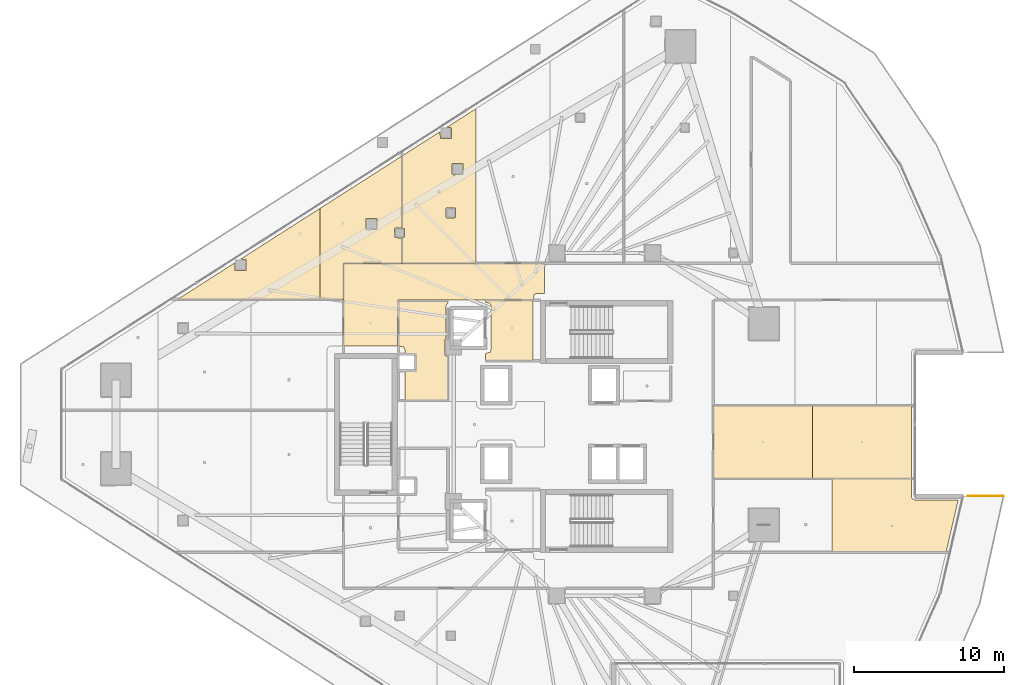
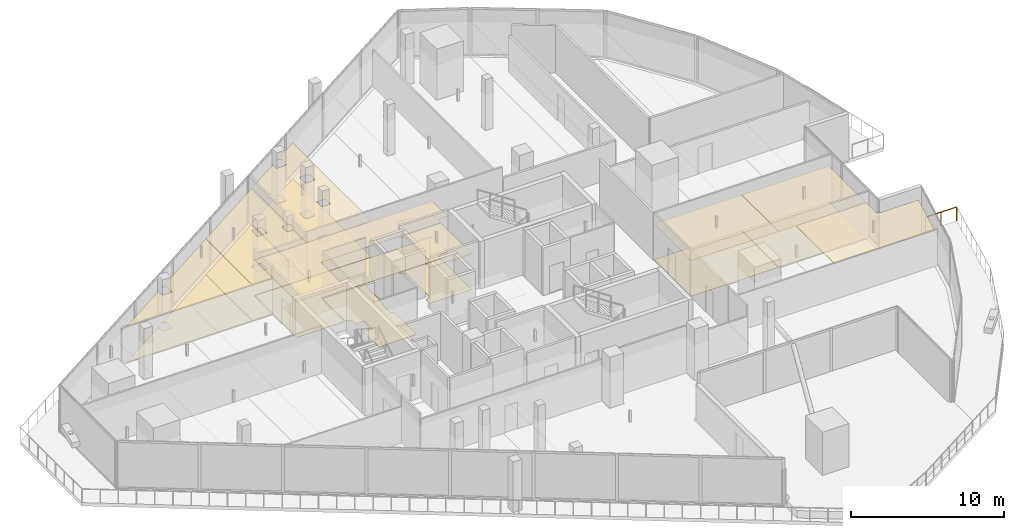
# One storey, part 37 of 39: 16 coverings, 1 railing.
"""IFC4 building model written with IfcOpenShell, lengths in metres."""

from ifc_helpers import new_model, si_unit, direction, frame, origin, origin_2d, place, context, subcontext, project, spatial, polyline, circle, outline, extrude, material, layer, layer_set, type_object, element, save


model = new_model("IFC4")

# Units and contexts
model_context = context("Model", 3, precision=1e-05, world=origin(), true_north=direction((0.0, 1.0)))
body_context = subcontext(model_context, "Body", "Model", "MODEL_VIEW")
ifc_project = project(units=[si_unit("LENGTHUNIT", "METRE"), si_unit("AREAUNIT", "SQUARE_METRE"), si_unit("VOLUMEUNIT", "CUBIC_METRE"), si_unit("PLANEANGLEUNIT", "RADIAN"), si_unit("MASSUNIT", "GRAM", prefix="KILO")], contexts=[model_context])

# Site, building, storey
site_placement = place(None, origin())
site = spatial("IfcSite", under=ifc_project, at=site_placement, CompositionType="ELEMENT")
building_placement = place(site_placement, origin())
building = spatial("IfcBuilding", under=site, at=building_placement, Name="Qorvath Tower", CompositionType="ELEMENT")
storey_placement = place(building_placement, frame((0.0, 0.0, 154.35009765625)))
storey = spatial("IfcBuildingStorey", under=building, at=storey_placement, Name="L35", CompositionType="ELEMENT", Elevation=154.35009765625)

# Coverings
ifc_material_1 = material(Name="Acoustic mineral fibre ceiling tile", Category="gypsum")
ifc_layer_1 = layer(ifc_material_1, 0.030029296875)
ifc_layer_set_1 = layer_set([ifc_layer_1], Name="COV-CEIL")
covering_type_1 = type_object("IfcCoveringType", Name="COV-CEIL", PredefinedType="CEILING", material=ifc_layer_set_1)
covering_1_placement = place(storey_placement, frame((0.0, 0.0, 2.849853515625)))
element("IfcCovering", 1, at=covering_1_placement, inside=storey, type_object=covering_type_1, Name="L35 Suspended Acoustic Ceiling 001", PredefinedType="CEILING", context=body_context, shape_type="SweptSolid", body=[
    extrude(outline(polyline([(-25.18994140625, 4.2548828125), (-25.18994140625, 8.294921875), (-28.375, 8.294921875), (-28.375, 8.159912109375), (-28.063232421875, 8.086669921875), (-27.989990234375, 7.909912109375), (-27.989990234375, 4.989990234375), (-28.063232421875, 4.813232421875), (-28.375, 4.739990234375), (-28.375, 4.2548828125), (-25.18994140625, 4.2548828125)])), origin(), (0.0, 0.0, 1.0), 0.030029296875),
])
covering_2_placement = place(storey_placement, frame((0.0, 0.0, 2.849853515625)))
element("IfcCovering", 2, at=covering_2_placement, inside=storey, type_object=covering_type_1, Name="L35 Suspended Acoustic Ceiling 007", PredefinedType="CEILING", context=body_context, shape_type="SweptSolid", body=[
    extrude(outline(polyline([(-24.421142578125, 8.75), (-24.421142578125, 10.7451171875), (-37.844970703125, 10.7451171875), (-37.844970703125, 5.239990234375), (-34.2509765625, 5.239990234375), (-34.219970703125, 8.324951171875), (-25.18994140625, 8.324951171875), (-25.11669921875, 8.6767578125), (-24.93994140625, 8.75), (-24.421142578125, 8.75)])), origin(), (0.0, 0.0, 1.0), 0.030029296875),
])
covering_3_placement = place(storey_placement, frame((0.0, 0.0, 2.849853515625)))
element("IfcCovering", 3, at=covering_3_placement, inside=storey, type_object=covering_type_1, Name="L35 Suspended Acoustic Ceiling 009", PredefinedType="CEILING", context=body_context, shape_type="SweptSolid", body=[
    extrude(outline(polyline([(-39.41943359375, 8.35498046875), (-39.41943359375, 14.434814453125), (-44.735107421875, 11.037353515625), (-44.368896484375, 11.019775390625), (-44.368896484375, 10.284912109375), (-45.103759765625, 10.284912109375), (-45.121337890625, 10.79052734375), (-48.931884765625, 8.35498046875), (-39.41943359375, 8.35498046875)])), origin(), (0.0, 0.0, 1.0), 0.030029296875),
])
covering_4_placement = place(storey_placement, frame((0.0, 0.0, 2.849853515625)))
element("IfcCovering", 4, at=covering_4_placement, inside=storey, type_object=covering_type_1, Name="L35 Suspended Acoustic Ceiling 010", PredefinedType="CEILING", context=body_context, shape_type="SweptSolid", body=[
    extrude(outline(polyline([(-33.954833984375, 13.12744140625), (-33.954833984375, 17.927490234375), (-39.41943359375, 14.434814453125), (-39.41943359375, 8.35498046875), (-37.863037109375, 8.35498046875), (-37.861572265625, 10.761474609375), (-33.954833984375, 10.762939453125), (-33.954833984375, 12.45751953125), (-34.421630859375, 12.47509765625), (-34.439208984375, 13.0673828125), (-34.379150390625, 13.12744140625), (-33.954833984375, 13.12744140625)]), holes=[polyline([(-36.36572265625, 13.055908203125), (-36.34814453125, 13.748291015625), (-35.61328125, 13.748291015625), (-35.61328125, 13.013427734375), (-36.3056640625, 12.995849609375), (-36.36572265625, 13.055908203125)])]), origin(), (0.0, 0.0, 1.0), 0.030029296875),
])
covering_5_placement = place(storey_placement, frame((0.0, 0.0, 2.849853515625)))
element("IfcCovering", 5, at=covering_5_placement, inside=storey, type_object=covering_type_1, Name="L35 Suspended Acoustic Ceiling 011", PredefinedType="CEILING", context=body_context, shape_type="SweptSolid", body=[
    extrude(outline(polyline([(-29.003662109375, 10.762939453125), (-29.003662109375, 21.091796875), (-30.953857421875, 19.845458984375), (-30.691162109375, 19.845458984375), (-30.631103515625, 19.785400390625), (-30.648681640625, 19.093017578125), (-31.383544921875, 19.093017578125), (-31.401123046875, 19.5595703125), (-33.936767578125, 17.93896484375), (-33.936767578125, 13.12744140625), (-33.769287109375, 13.0673828125), (-33.769287109375, 12.517578125), (-33.936767578125, 12.45751953125), (-33.936767578125, 10.762939453125), (-29.003662109375, 10.762939453125)]), holes=[polyline([(-30.60986328125, 16.734619140625), (-30.59228515625, 17.427001953125), (-29.857421875, 17.427001953125), (-29.857421875, 16.692138671875), (-30.5498046875, 16.674560546875), (-30.60986328125, 16.734619140625)]), polyline([(-31.01220703125, 13.849365234375), (-30.99462890625, 14.441650390625), (-30.35986328125, 14.441650390625), (-30.35986328125, 13.806884765625), (-30.9521484375, 13.789306640625), (-31.01220703125, 13.849365234375)])]), origin(), (0.0, 0.0, 1.0), 0.030029296875),
])
covering_6_placement = place(storey_placement, frame((0.0, 0.0, 2.849853515625)))
element("IfcCovering", 6, at=covering_6_placement, inside=storey, type_object=covering_type_1, Name="L35 Suspended Acoustic Ceiling 021", PredefinedType="CEILING", context=body_context, shape_type="SweptSolid", body=[
    extrude(outline(polyline([(0.177001953125, -4.990966796875), (0.089599609375, -4.843994140625), (0.084716796875, -3.623779296875), (-5.210693359375, -3.623779296875), (-5.210693359375, -8.537109375), (2.408203125, -8.537109375), (3.2158203125, -5.05029296875), (0.315185546875, -5.049072265625), (0.177001953125, -4.990966796875)])), origin(), (0.0, 0.0, 1.0), 0.030029296875),
])
covering_7_placement = place(storey_placement, frame((0.0, 0.0, 2.849853515625)))
element("IfcCovering", 7, at=covering_7_placement, inside=storey, type_object=covering_type_1, Name="L35 Suspended Acoustic Ceiling 022", PredefinedType="CEILING", context=body_context, shape_type="SweptSolid", body=[
    extrude(outline(polyline([(-13.136962890625, -3.60595703125), (-6.526123046875, -3.60595703125), (-6.526123046875, 1.247314453125), (-13.136962890625, 1.247314453125), (-13.136962890625, -3.60595703125)])), origin(), (0.0, 0.0, 1.0), 0.030029296875),
])
covering_8_placement = place(storey_placement, frame((0.0, 0.0, 2.849853515625)))
element("IfcCovering", 8, at=covering_8_placement, inside=storey, type_object=covering_type_1, Name="L35 Suspended Acoustic Ceiling 023", PredefinedType="CEILING", context=body_context, shape_type="SweptSolid", body=[
    extrude(outline(polyline([(-6.526123046875, 1.247314453125), (-6.526123046875, -3.60595703125), (0.084716796875, -3.60595703125), (0.084716796875, 1.247314453125), (-6.526123046875, 1.247314453125)])), origin(), (0.0, 0.0, 1.0), 0.030029296875),
])
ifc_material_2 = material(Name="Low-VOC modular carpet tile", Category="textile")
ifc_layer_2 = layer(ifc_material_2, 0.014892578125)
ifc_layer_set_2 = layer_set([ifc_layer_2], Name="COV-FLOOR-CPT")
covering_type_2 = type_object("IfcCoveringType", Name="COV-FLOOR-CPT", PredefinedType="FLOORING", material=ifc_layer_set_2)
covering_9_placement = place(storey_placement, origin())
element("IfcCovering", 9, at=covering_9_placement, inside=storey, type_object=covering_type_2, Name="L35 Floor Finish 009", PredefinedType="FLOORING", context=body_context, shape_type="SweptSolid", body=[
    extrude(outline(polyline([(-39.41943359375, 8.35498046875), (-39.41943359375, 14.434814453125), (-44.735107421875, 11.037353515625), (-44.368896484375, 11.019775390625), (-44.368896484375, 10.284912109375), (-45.103759765625, 10.284912109375), (-45.121337890625, 10.79052734375), (-48.931884765625, 8.35498046875), (-39.41943359375, 8.35498046875)])), origin(), (0.0, 0.0, 1.0), 0.014892578125),
])
covering_10_placement = place(storey_placement, origin())
element("IfcCovering", 10, at=covering_10_placement, inside=storey, type_object=covering_type_2, Name="L35 Floor Finish 010", PredefinedType="FLOORING", context=body_context, shape_type="SweptSolid", body=[
    extrude(outline(polyline([(-33.954833984375, 13.12744140625), (-33.954833984375, 17.927490234375), (-39.41943359375, 14.434814453125), (-39.41943359375, 8.35498046875), (-37.863037109375, 8.35498046875), (-37.861572265625, 10.761474609375), (-33.954833984375, 10.762939453125), (-33.954833984375, 12.45751953125), (-34.421630859375, 12.47509765625), (-34.439208984375, 13.0673828125), (-34.379150390625, 13.12744140625), (-33.954833984375, 13.12744140625)]), holes=[polyline([(-36.36572265625, 13.055908203125), (-36.34814453125, 13.748291015625), (-35.61328125, 13.748291015625), (-35.61328125, 13.013427734375), (-36.3056640625, 12.995849609375), (-36.36572265625, 13.055908203125)])]), origin(), (0.0, 0.0, 1.0), 0.014892578125),
])
covering_11_placement = place(storey_placement, origin())
element("IfcCovering", 11, at=covering_11_placement, inside=storey, type_object=covering_type_2, Name="L35 Floor Finish 011", PredefinedType="FLOORING", context=body_context, shape_type="SweptSolid", body=[
    extrude(outline(polyline([(-29.003662109375, 10.762939453125), (-29.003662109375, 21.091796875), (-30.953857421875, 19.845458984375), (-30.691162109375, 19.845458984375), (-30.631103515625, 19.785400390625), (-30.648681640625, 19.093017578125), (-31.383544921875, 19.093017578125), (-31.401123046875, 19.5595703125), (-33.936767578125, 17.93896484375), (-33.936767578125, 13.12744140625), (-33.769287109375, 13.0673828125), (-33.769287109375, 12.517578125), (-33.936767578125, 12.45751953125), (-33.936767578125, 10.762939453125), (-29.003662109375, 10.762939453125)]), holes=[polyline([(-30.60986328125, 16.734619140625), (-30.59228515625, 17.427001953125), (-29.857421875, 17.427001953125), (-29.857421875, 16.692138671875), (-30.5498046875, 16.674560546875), (-30.60986328125, 16.734619140625)]), polyline([(-31.01220703125, 13.849365234375), (-30.99462890625, 14.441650390625), (-30.35986328125, 14.441650390625), (-30.35986328125, 13.806884765625), (-30.9521484375, 13.789306640625), (-31.01220703125, 13.849365234375)])]), origin(), (0.0, 0.0, 1.0), 0.014892578125),
])
covering_12_placement = place(storey_placement, origin())
element("IfcCovering", 12, at=covering_12_placement, inside=storey, type_object=covering_type_2, Name="L35 Floor Finish 022", PredefinedType="FLOORING", context=body_context, shape_type="SweptSolid", body=[
    extrude(outline(polyline([(-13.136962890625, -3.60595703125), (-6.526123046875, -3.60595703125), (-6.526123046875, 1.247314453125), (-13.136962890625, 1.247314453125), (-13.136962890625, -3.60595703125)])), origin(), (0.0, 0.0, 1.0), 0.014892578125),
])
covering_13_placement = place(storey_placement, origin())
element("IfcCovering", 13, at=covering_13_placement, inside=storey, type_object=covering_type_2, Name="L35 Floor Finish 023", PredefinedType="FLOORING", context=body_context, shape_type="SweptSolid", body=[
    extrude(outline(polyline([(-6.526123046875, 1.247314453125), (-6.526123046875, -3.60595703125), (0.084716796875, -3.60595703125), (0.084716796875, 1.247314453125), (-6.526123046875, 1.247314453125)])), origin(), (0.0, 0.0, 1.0), 0.014892578125),
])
ifc_material_3 = material(Name="Polished epoxy terrazzo flooring", Category="concrete")
ifc_layer_3 = layer(ifc_material_3, 0.02001953125)
ifc_layer_set_3 = layer_set([ifc_layer_3], Name="COV-FLOOR-TRZ")
covering_type_3 = type_object("IfcCoveringType", Name="COV-FLOOR-TRZ", PredefinedType="FLOORING", material=ifc_layer_set_3)
covering_14_placement = place(storey_placement, origin())
element("IfcCovering", 14, at=covering_14_placement, inside=storey, type_object=covering_type_3, Name="L35 Floor Finish 001", PredefinedType="FLOORING", context=body_context, shape_type="SweptSolid", body=[
    extrude(outline(polyline([(-25.18994140625, 4.2548828125), (-25.18994140625, 8.294921875), (-28.375, 8.294921875), (-28.375, 8.159912109375), (-28.063232421875, 8.086669921875), (-27.989990234375, 7.909912109375), (-27.989990234375, 4.989990234375), (-28.063232421875, 4.813232421875), (-28.375, 4.739990234375), (-28.375, 4.2548828125), (-25.18994140625, 4.2548828125)])), origin(), (0.0, 0.0, 1.0), 0.014892578125),
])
covering_15_placement = place(storey_placement, origin())
element("IfcCovering", 15, at=covering_15_placement, inside=storey, type_object=covering_type_3, Name="L35 Floor Finish 004", PredefinedType="FLOORING", context=body_context, shape_type="SweptSolid", body=[
    extrude(outline(polyline([(-30.885009765625, 8.2451171875), (-34.175048828125, 8.2451171875), (-34.175048828125, 5.239990234375), (-33.833251953125, 5.166748046875), (-33.760009765625, 4.989990234375), (-33.760009765625, 4.633056640625), (-33.0869140625, 4.6279296875), (-33.08837890625, 3.638427734375), (-33.760009765625, 3.636962890625), (-33.760009765625, 1.60498046875), (-30.885009765625, 1.60498046875), (-30.885009765625, 4.56494140625), (-31.02490234375, 4.56494140625), (-31.0849609375, 4.625), (-31.0849609375, 5.675048828125), (-31.010009765625, 5.735107421875), (-31.010009765625, 7.909912109375), (-30.885009765625, 8.108154296875), (-30.885009765625, 8.2451171875)])), origin(), (0.0, 0.0, 1.0), 0.014892578125),
])
covering_16_placement = place(storey_placement, origin())
element("IfcCovering", 16, at=covering_16_placement, inside=storey, type_object=covering_type_3, Name="L35 Floor Finish 007", PredefinedType="FLOORING", context=body_context, shape_type="SweptSolid", body=[
    extrude(outline(polyline([(-24.421142578125, 8.75), (-24.421142578125, 10.7451171875), (-37.844970703125, 10.7451171875), (-37.844970703125, 5.239990234375), (-34.2509765625, 5.239990234375), (-34.219970703125, 8.324951171875), (-25.18994140625, 8.324951171875), (-25.11669921875, 8.6767578125), (-24.93994140625, 8.75), (-24.421142578125, 8.75)])), origin(), (0.0, 0.0, 1.0), 0.014892578125),
])

# Railing
ifc_material_4 = material(Name="Laminated safety glass and stainless steel AISI 316", Category="steel")
railing_type = type_object("IfcRailingType", Name="RL-EXT-GRD", PredefinedType="GUARDRAIL", material=ifc_material_4)
railing_placement = place(storey_placement, frame((3.88623046875, -4.795166015625, 0.0)))
element("IfcRailing", 17, at=railing_placement, inside=storey, type_object=railing_type, Name="Loggia Perimeter Guardrail L35-1.2", PredefinedType="GUARDRAIL", context=body_context, shape_type="SweptSolid", body=[
    extrude(circle(Radius=0.02392578125, at=origin_2d()), frame((0.0, 0.0, 1.09619140625), z_axis=(1.0, 0.0, 0.0), x_axis=(0.0, 1.0, 0.0)), (0.0, 0.0, 1.0), 2.366455078125),
    extrude(circle(Radius=0.02099609375, at=origin_2d()), origin(), (0.0, 0.0, 1.0), 1.072021484375),
    extrude(circle(Radius=0.02099609375, at=origin_2d()), frame((1.18310546875, 0.0, 0.0)), (0.0, 0.0, 1.0), 1.072021484375),
    extrude(circle(Radius=0.02099609375, at=origin_2d()), frame((2.366455078125, 0.0, 0.0)), (0.0, 0.0, 1.0), 1.072021484375),
])

save(model, "model.ifc")
